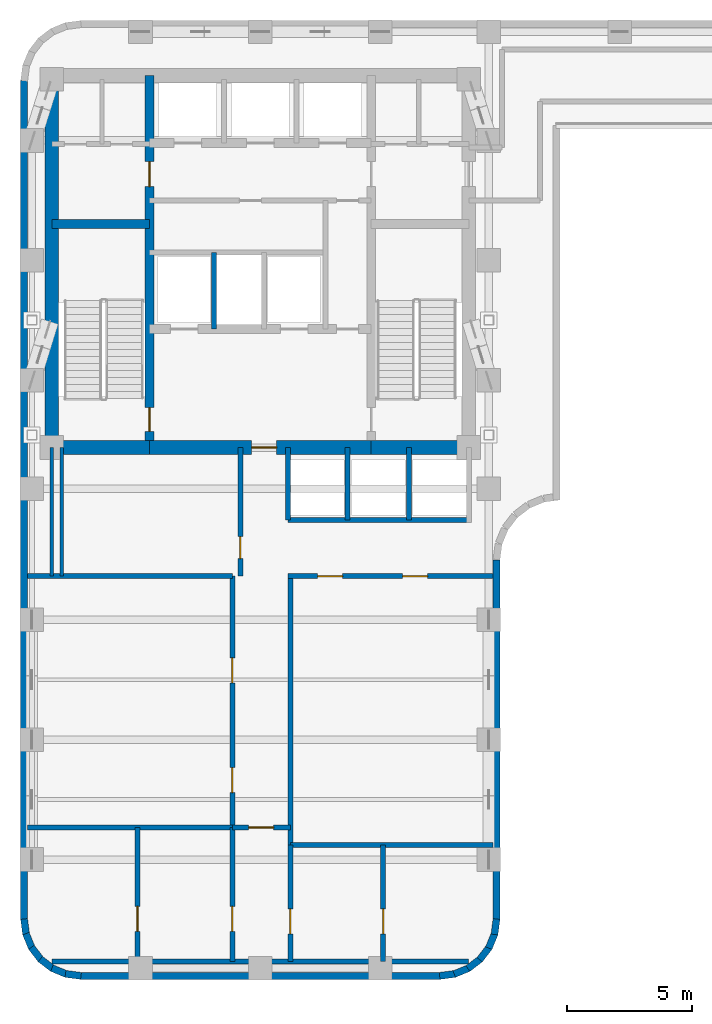
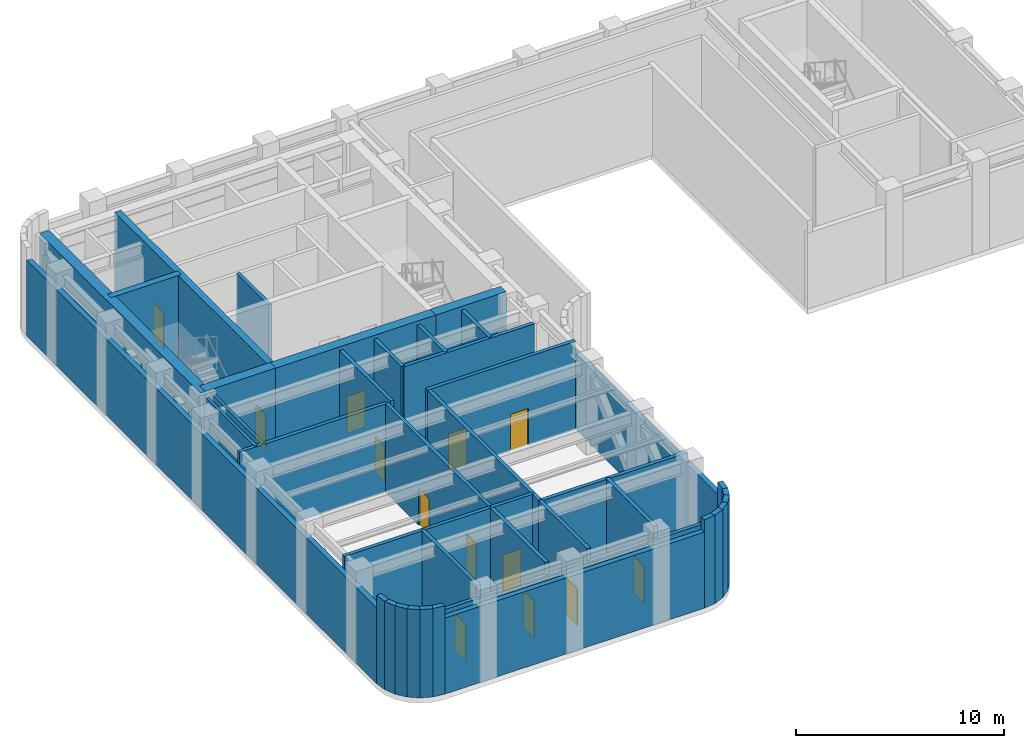
# One storey, part 5 of 9: 41 walls, 13 doors, 13 openings.
"""IFC4 building model written with IfcOpenShell, lengths in metres."""

from ifc_helpers import new_model, si_unit, direction, frame, frame_2d, origin, place, context, subcontext, project, spatial, rectangle, extrude, material, layer, layer_set, type_object, element, fill, save


model = new_model("IFC4")

# Units and contexts
model_context = context("Model", 3, precision=1e-05, world=origin(), true_north=direction((0.0, 1.0)))
body_context = subcontext(model_context, "Body", "Model", "MODEL_VIEW")
ifc_project = project(units=[si_unit("LENGTHUNIT", "METRE"), si_unit("AREAUNIT", "SQUARE_METRE"), si_unit("VOLUMEUNIT", "CUBIC_METRE"), si_unit("PLANEANGLEUNIT", "RADIAN"), si_unit("MASSUNIT", "GRAM", prefix="KILO")], contexts=[model_context])

# Site, building, storey
site_placement = place(None, origin())
site = spatial("IfcSite", under=ifc_project, at=site_placement, CompositionType="ELEMENT")
building_placement = place(site_placement, origin())
building = spatial("IfcBuilding", under=site, at=building_placement, Name="Orvandelia Arch Residences", CompositionType="ELEMENT")
storey_placement = place(building_placement, frame((0.0, 0.0, 198.39990234375)))
storey = spatial("IfcBuildingStorey", under=building, at=storey_placement, Name="L52", CompositionType="ELEMENT", Elevation=198.39990234375)

# Wall, openings, doors
ifc_material_1 = material(Name="Concrete C50/60", Category="concrete")
ifc_layer_1 = layer(ifc_material_1, 0.35009765625, Name="Concrete C50/60", Category="concrete")
ifc_layer_set_1 = layer_set([ifc_layer_1], Name="Concrete C50/60")
wall_type_1 = type_object("IfcWallType", Name="WL-CORE-350", PredefinedType="SHEAR", material=ifc_layer_set_1)
wall_1_placement = place(storey_placement, frame((9.9599609375, 30.89990234375, 0.0), z_axis=(0.0, 0.0, 1.0), x_axis=(0.0, 1.0, 0.0)))
wall_1 = element("IfcWall", 1, at=wall_1_placement, inside=storey, type_object=wall_type_1, Name="Core Shear Wall L52-WEB1", PredefinedType="SHEAR", context=body_context, shape_type="SweptSolid", body=[
    extrude(rectangle(XDim=14.900146484375, YDim=0.35009765625, at=frame_2d((7.4501953125, 0.0))), origin(), (0.0, 0.0, 1.0), 5.400146484375),
])
opening_1_placement = place(wall_1_placement, frame((0.64990234375, 0.0, 0.0)))
opening_1 = element("IfcOpeningElement", 2, at=opening_1_placement, cuts=wall_1, Name="Opening D7", PredefinedType="OPENING", context=body_context, shape_type="SweptSolid", body=[
    extrude(rectangle(XDim=0.949951171875, YDim=2.10009765625, at=frame_2d((0.47509765625, 1.050048828125))), frame((0.0, 0.18505859375, 0.0), z_axis=(0.0, -1.0, 0.0), x_axis=(1.0, 0.0, 0.0)), (0.0, 0.0, 1.0), 0.3701171875),
])
opening_2_placement = place(wall_1_placement, frame((10.449951171875, 0.0, 0.0)))
opening_2 = element("IfcOpeningElement", 3, at=opening_2_placement, cuts=wall_1, Name="Opening D6", PredefinedType="OPENING", context=body_context, shape_type="SweptSolid", body=[
    extrude(rectangle(XDim=1.0, YDim=2.14990234375, at=frame_2d((0.5, 1.074951171875))), frame((0.0, 0.18505859375, 0.0), z_axis=(0.0, -1.0, 0.0), x_axis=(1.0, 0.0, 0.0)), (0.0, 0.0, 1.0), 0.3701171875),
])
ifc_material_2 = material(Name="Smokeproof Painted Steel Fire Door", Category="steel")
door_type_1 = type_object("IfcDoorType", Name="DR-FD60-1000", OperationType="NOTDEFINED", PredefinedType="DOOR", material=ifc_material_2)
door_1_placement = place(opening_2_placement, origin())
door_1 = element("IfcDoor", 4, at=door_1_placement, inside=storey, type_object=door_type_1, Name="High-Rise Lift Hall West Vestibule Door L52", OperationType="SINGLE_SWING_LEFT", OverallHeight=2.14990234375, OverallWidth=1.0, PredefinedType="DOOR", context=body_context, shape_type="SweptSolid", body=[
    extrude(rectangle(XDim=1.0, YDim=2.14990234375, at=frame_2d((0.5, 1.074951171875))), frame((0.0, 0.02490234375, 0.0), z_axis=(0.0, -1.0, 0.0), x_axis=(1.0, 0.0, 0.0)), (0.0, 0.0, 1.0), 0.050048828125),
])
fill(opening_2, door_1)
ifc_material_3 = material(Name="Pressurised Stairwell Fire Door")
door_type_2 = type_object("IfcDoorType", Name="DR-STAIR-950", OperationType="NOTDEFINED", PredefinedType="DOOR", material=ifc_material_3)
door_2_placement = place(opening_1_placement, origin())
door_2 = element("IfcDoor", 5, at=door_2_placement, inside=storey, type_object=door_type_2, Name="Stairwell ST-1 Fire Door L52", OperationType="SINGLE_SWING_LEFT", OverallHeight=2.10009765625, OverallWidth=0.949951171875, PredefinedType="DOOR", context=body_context, shape_type="SweptSolid", body=[
    extrude(rectangle(XDim=0.949951171875, YDim=2.10009765625, at=frame_2d((0.47509765625, 1.050048828125))), frame((0.0, 0.02490234375, 0.0), z_axis=(0.0, -1.0, 0.0), x_axis=(1.0, 0.0, 0.0)), (0.0, 0.0, 1.0), 0.050048828125),
])
fill(opening_1, door_2)

# Walls
wall_2_placement = place(storey_placement, frame((6.050048828125, 39.85009765625, 0.0), z_axis=(0.0, 0.0, 1.0), x_axis=(1.0, 0.0, 0.0)))
element("IfcWall", 6, at=wall_2_placement, inside=storey, type_object=wall_type_1, Name="Core Shear Wall L52-HZ1", PredefinedType="SHEAR", context=body_context, shape_type="SweptSolid", body=[
    extrude(rectangle(XDim=3.909912109375, YDim=0.35009765625, at=frame_2d((1.955078125, 0.0))), origin(), (0.0, 0.0, 1.0), 5.400146484375),
])
ifc_material_4 = material(Name="Concrete C60/75", Category="concrete")
ifc_layer_2 = layer(ifc_material_4, 0.550048828125, Name="Concrete C60/75", Category="concrete")
ifc_layer_set_2 = layer_set([ifc_layer_2], Name="Concrete C60/75")
wall_type_2 = type_object("IfcWallType", Name="WL-CORE-550", PredefinedType="SHEAR", material=ifc_layer_set_2)
wall_3_placement = place(storey_placement, frame((6.050048828125, 30.625, 0.0), z_axis=(0.0, 0.0, 1.0), x_axis=(0.0, 1.0, 0.0)))
element("IfcWall", 7, at=wall_3_placement, inside=storey, type_object=wall_type_2, Name="Core Shear Wall L52-W", PredefinedType="SHEAR", context=body_context, shape_type="SweptSolid", body=[
    extrude(rectangle(XDim=15.449951171875, YDim=0.550048828125, at=frame_2d((7.72509765625, 0.0))), origin(), (0.0, 0.0, 1.0), 5.400146484375),
])
wall_4_placement = place(storey_placement, frame((6.050048828125, 30.89990234375, 0.0), z_axis=(0.0, 0.0, 1.0), x_axis=(1.0, 0.0, 0.0)))
element("IfcWall", 8, at=wall_4_placement, inside=storey, type_object=wall_type_2, Name="Core Shear Wall L52-SW", PredefinedType="SHEAR", context=body_context, shape_type="SweptSolid", body=[
    extrude(rectangle(XDim=3.909912109375, YDim=0.550048828125, at=frame_2d((1.955078125, 0.0))), origin(), (0.0, 0.0, 1.0), 5.400146484375),
])

# Wall, opening, door
wall_5_placement = place(storey_placement, frame((9.9599609375, 30.89990234375, 0.0), z_axis=(0.0, 0.0, 1.0), x_axis=(1.0, 0.0, 0.0)))
wall_5 = element("IfcWall", 9, at=wall_5_placement, inside=storey, type_object=wall_type_2, Name="Core Shear Wall L52-SM", PredefinedType="SHEAR", context=body_context, shape_type="SweptSolid", body=[
    extrude(rectangle(XDim=8.880126953125, YDim=0.550048828125, at=frame_2d((4.43994140625, 0.0))), origin(), (0.0, 0.0, 1.0), 5.400146484375),
])
opening_3_placement = place(wall_5_placement, frame((4.090087890625, 0.0, 0.0)))
opening_3 = element("IfcOpeningElement", 10, at=opening_3_placement, cuts=wall_5, Name="Opening D6", PredefinedType="OPENING", context=body_context, shape_type="SweptSolid", body=[
    extrude(rectangle(XDim=1.0, YDim=2.14990234375, at=frame_2d((0.5, 1.074951171875))), frame((0.0, 0.28515625, 0.0), z_axis=(0.0, -1.0, 0.0), x_axis=(1.0, 0.0, 0.0)), (0.0, 0.0, 1.0), 0.570068359375),
])
door_3_placement = place(opening_3_placement, origin())
door_3 = element("IfcDoor", 11, at=door_3_placement, inside=storey, type_object=door_type_1, Name="Firefighting Lobby Smokeproof Door L52", OperationType="SINGLE_SWING_LEFT", OverallHeight=2.14990234375, OverallWidth=1.0, PredefinedType="DOOR", context=body_context, shape_type="SweptSolid", body=[
    extrude(rectangle(XDim=1.0, YDim=2.14990234375, at=frame_2d((0.5, 1.074951171875))), frame((0.0, 0.02490234375, 0.0), z_axis=(0.0, -1.0, 0.0), x_axis=(1.0, 0.0, 0.0)), (0.0, 0.0, 1.0), 0.050048828125),
])
fill(opening_3, door_3)

# Wall
wall_6_placement = place(storey_placement, frame((18.840087890625, 30.89990234375, 0.0), z_axis=(0.0, 0.0, 1.0), x_axis=(1.0, 0.0, 0.0)))
element("IfcWall", 12, at=wall_6_placement, inside=storey, type_object=wall_type_2, Name="Core Shear Wall L52-SE", PredefinedType="SHEAR", context=body_context, shape_type="SweptSolid", body=[
    extrude(rectangle(XDim=3.909912109375, YDim=0.550048828125, at=frame_2d((1.955078125, 0.0))), origin(), (0.0, 0.0, 1.0), 5.400146484375),
])

# Wall, opening, door
ifc_material_5 = material(Name="Fire-Rated Corridor Partition")
ifc_layer_3 = layer(ifc_material_5, 0.199951171875, Name="Fire-Rated Corridor Partition")
ifc_layer_set_3 = layer_set([ifc_layer_3], Name="Fire-Rated Corridor Partition")
wall_type_3 = type_object("IfcWallType", Name="WL-CORR-200", PredefinedType="PARTITIONING", material=ifc_layer_set_3)
wall_7_placement = place(storey_placement, frame((13.280029296875, 15.679931640625, 0.0), z_axis=(0.0, 0.0, 1.0), x_axis=(1.0, 0.0, 0.0)))
wall_7 = element("IfcWall", 13, at=wall_7_placement, inside=storey, type_object=wall_type_3, Name="Interior Partition Wall WL-L52-RLOB-S", PredefinedType="PARTITIONING", context=body_context, shape_type="SweptSolid", body=[
    extrude(rectangle(XDim=2.320068359375, YDim=0.199951171875, at=frame_2d((1.16015625, 0.0))), origin(), (0.0, 0.0, 1.0), 5.18017578125),
])
opening_4_placement = place(wall_7_placement, frame((0.64990234375, 0.0, 0.0)))
opening_4 = element("IfcOpeningElement", 14, at=opening_4_placement, cuts=wall_7, Name="Opening D6", PredefinedType="OPENING", context=body_context, shape_type="SweptSolid", body=[
    extrude(rectangle(XDim=1.0, YDim=2.14990234375, at=frame_2d((0.5, 1.074951171875))), frame((0.0, 0.10986328125, 0.0), z_axis=(0.0, -1.0, 0.0), x_axis=(1.0, 0.0, 0.0)), (0.0, 0.0, 1.0), 0.219970703125),
])
door_4_placement = place(opening_4_placement, origin())
door_4 = element("IfcDoor", 15, at=door_4_placement, inside=storey, type_object=door_type_1, Name="DR-L52-RLOB-PC", OperationType="SINGLE_SWING_LEFT", OverallHeight=2.14990234375, OverallWidth=1.0, PredefinedType="DOOR", context=body_context, shape_type="SweptSolid", body=[
    extrude(rectangle(XDim=1.0, YDim=2.14990234375, at=frame_2d((0.5, 1.074951171875))), frame((0.0, 0.02490234375, 0.0), z_axis=(0.0, -1.0, 0.0), x_axis=(1.0, 0.0, 0.0)), (0.0, 0.0, 1.0), 0.050048828125),
])
fill(opening_4, door_4)

# Wall, openings, doors
wall_8_placement = place(storey_placement, frame((15.5, 25.75, 0.0), z_axis=(0.0, 0.0, 1.0), x_axis=(1.0, 0.0, 0.0)))
wall_8 = element("IfcWall", 16, at=wall_8_placement, inside=storey, type_object=wall_type_3, Name="Interior Partition Wall WL-L52-REF-N", PredefinedType="PARTITIONING", context=body_context, shape_type="SweptSolid", body=[
    extrude(rectangle(XDim=8.219970703125, YDim=0.199951171875, at=frame_2d((4.10986328125, 0.0))), origin(), (0.0, 0.0, 1.0), 5.18017578125),
])
opening_5_placement = place(wall_8_placement, frame((1.199951171875, 0.0, 0.0)))
opening_5 = element("IfcOpeningElement", 17, at=opening_5_placement, cuts=wall_8, Name="Opening D6", PredefinedType="OPENING", context=body_context, shape_type="SweptSolid", body=[
    extrude(rectangle(XDim=1.0, YDim=2.14990234375, at=frame_2d((0.5, 1.074951171875))), frame((0.0, 0.10986328125, 0.0), z_axis=(0.0, -1.0, 0.0), x_axis=(1.0, 0.0, 0.0)), (0.0, 0.0, 1.0), 0.219970703125),
])
opening_6_placement = place(wall_8_placement, frame((4.60009765625, 0.0, 0.0)))
opening_6 = element("IfcOpeningElement", 18, at=opening_6_placement, cuts=wall_8, Name="Opening D6", PredefinedType="OPENING", context=body_context, shape_type="SweptSolid", body=[
    extrude(rectangle(XDim=1.0, YDim=2.14990234375, at=frame_2d((0.5, 1.074951171875))), frame((0.0, 0.10986328125, 0.0), z_axis=(0.0, -1.0, 0.0), x_axis=(1.0, 0.0, 0.0)), (0.0, 0.0, 1.0), 0.219970703125),
])
door_5_placement = place(opening_5_placement, origin())
door_5 = element("IfcDoor", 19, at=door_5_placement, inside=storey, type_object=door_type_1, Name="Refuge Safety Zone Fire Door 1 L52", OperationType="SINGLE_SWING_LEFT", OverallHeight=2.14990234375, OverallWidth=1.0, PredefinedType="DOOR", context=body_context, shape_type="SweptSolid", body=[
    extrude(rectangle(XDim=1.0, YDim=2.14990234375, at=frame_2d((0.5, 1.074951171875))), frame((0.0, 0.02490234375, 0.0), z_axis=(0.0, -1.0, 0.0), x_axis=(1.0, 0.0, 0.0)), (0.0, 0.0, 1.0), 0.050048828125),
])
fill(opening_5, door_5)
door_6_placement = place(opening_6_placement, origin())
door_6 = element("IfcDoor", 20, at=door_6_placement, inside=storey, type_object=door_type_1, Name="Refuge Safety Zone Fire Door 2 L52", OperationType="SINGLE_SWING_RIGHT", OverallHeight=2.14990234375, OverallWidth=1.0, PredefinedType="DOOR", context=body_context, shape_type="SweptSolid", body=[
    extrude(rectangle(XDim=1.0, YDim=2.14990234375, at=frame_2d((0.5, 1.074951171875))), frame((0.0, 0.02490234375, 0.0), z_axis=(0.0, -1.0, 0.0), x_axis=(1.0, 0.0, 0.0)), (0.0, 0.0, 1.0), 0.050048828125),
])
fill(opening_6, door_6)

# Walls
wall_9_placement = place(storey_placement, frame((15.60009765625, 14.97998046875, 0.0), z_axis=(0.0, 0.0, 1.0), x_axis=(1.0, 0.0, 0.0)))
element("IfcWall", 21, at=wall_9_placement, inside=storey, type_object=wall_type_3, Name="Interior Partition Wall WL-L52-REF-S", PredefinedType="PARTITIONING", context=body_context, shape_type="SweptSolid", body=[
    extrude(rectangle(XDim=8.119873046875, YDim=0.199951171875, at=frame_2d((4.06005859375, 0.0))), origin(), (0.0, 0.0, 1.0), 5.18017578125),
])
for number, where, z_axis, x_axis, name in (
    (22, (5.080078125, 25.75, 0.0), (0.0, 0.0, 1.0), (1.0, 0.0, 0.0), "Interior Partition Wall WL-L52-PC-NW"),
    (23, (5.080078125, 15.679931640625, 0.0), (0.0, 0.0, 1.0), (1.0, 0.0, 0.0), "Interior Partition Wall WL-L52-WREF-S"),
):
    element("IfcWall", number, at=place(storey_placement, frame(where, z_axis=z_axis, x_axis=x_axis)), inside=storey, type_object=wall_type_3, Name=name, PredefinedType="PARTITIONING", context=body_context, shape_type="SweptSolid", body=[
        extrude(rectangle(XDim=8.199951171875, YDim=0.199951171875, at=frame_2d((4.10009765625, 0.0))), origin(), (0.0, 0.0, 1.0), 5.18017578125),
    ])

# Wall, openings, doors
wall_10_placement = place(storey_placement, frame((13.280029296875, 15.679931640625, 0.0), z_axis=(0.0, 0.0, 1.0), x_axis=(0.0, 1.0, 0.0)))
wall_10 = element("IfcWall", 24, at=wall_10_placement, inside=storey, type_object=wall_type_3, Name="Interior Partition Wall WL-L52-RLOB-W", PredefinedType="PARTITIONING", context=body_context, shape_type="SweptSolid", body=[
    extrude(rectangle(XDim=10.070068359375, YDim=0.199951171875, at=frame_2d((5.03515625, 0.0))), origin(), (0.0, 0.0, 1.0), 5.18017578125),
])
opening_7_placement = place(wall_10_placement, frame((1.39990234375, 0.0, 0.0)))
opening_7 = element("IfcOpeningElement", 25, at=opening_7_placement, cuts=wall_10, Name="Opening D6", PredefinedType="OPENING", context=body_context, shape_type="SweptSolid", body=[
    extrude(rectangle(XDim=1.0, YDim=2.14990234375, at=frame_2d((0.5, 1.074951171875))), frame((0.0, 0.10986328125, 0.0), z_axis=(0.0, -1.0, 0.0), x_axis=(1.0, 0.0, 0.0)), (0.0, 0.0, 1.0), 0.219970703125),
])
opening_8_placement = place(wall_10_placement, frame((5.800048828125, 0.0, 0.0)))
opening_8 = element("IfcOpeningElement", 26, at=opening_8_placement, cuts=wall_10, Name="Opening D6", PredefinedType="OPENING", context=body_context, shape_type="SweptSolid", body=[
    extrude(rectangle(XDim=1.0, YDim=2.14990234375, at=frame_2d((0.5, 1.074951171875))), frame((0.0, 0.10986328125, 0.0), z_axis=(0.0, -1.0, 0.0), x_axis=(1.0, 0.0, 0.0)), (0.0, 0.0, 1.0), 0.219970703125),
])
door_7_placement = place(opening_7_placement, origin())
door_7 = element("IfcDoor", 27, at=door_7_placement, inside=storey, type_object=door_type_1, Name="West Refuge Safety Zone Door 1 L52", OperationType="SINGLE_SWING_LEFT", OverallHeight=2.14990234375, OverallWidth=1.0, PredefinedType="DOOR", context=body_context, shape_type="SweptSolid", body=[
    extrude(rectangle(XDim=1.0, YDim=2.14990234375, at=frame_2d((0.5, 1.074951171875))), frame((0.0, 0.02490234375, 0.0), z_axis=(0.0, -1.0, 0.0), x_axis=(1.0, 0.0, 0.0)), (0.0, 0.0, 1.0), 0.050048828125),
])
fill(opening_7, door_7)
door_8_placement = place(opening_8_placement, origin())
door_8 = element("IfcDoor", 28, at=door_8_placement, inside=storey, type_object=door_type_1, Name="West Refuge Safety Zone Door 2 L52", OperationType="SINGLE_SWING_RIGHT", OverallHeight=2.14990234375, OverallWidth=1.0, PredefinedType="DOOR", context=body_context, shape_type="SweptSolid", body=[
    extrude(rectangle(XDim=1.0, YDim=2.14990234375, at=frame_2d((0.5, 1.074951171875))), frame((0.0, 0.02490234375, 0.0), z_axis=(0.0, -1.0, 0.0), x_axis=(1.0, 0.0, 0.0)), (0.0, 0.0, 1.0), 0.050048828125),
])
fill(opening_8, door_8)

# Walls
wall_11_placement = place(storey_placement, frame((15.60009765625, 14.97998046875, 0.0), z_axis=(0.0, 0.0, 1.0), x_axis=(0.0, 1.0, 0.0)))
element("IfcWall", 29, at=wall_11_placement, inside=storey, type_object=wall_type_3, Name="Interior Partition Wall WL-L52-RLOB-E", PredefinedType="PARTITIONING", context=body_context, shape_type="SweptSolid", body=[
    extrude(rectangle(XDim=10.77001953125, YDim=0.199951171875, at=frame_2d((5.385009765625, 0.0))), origin(), (0.0, 0.0, 1.0), 5.18017578125),
])
wall_12_placement = place(storey_placement, frame((6.06005859375, 10.320068359375, 0.0), z_axis=(0.0, 0.0, 1.0), x_axis=(1.0, 0.0, 0.0)))
element("IfcWall", 30, at=wall_12_placement, inside=storey, type_object=wall_type_3, Name="Interior Partition Wall WL-L52-PLT-S0", PredefinedType="PARTITIONING", context=body_context, shape_type="SweptSolid", body=[
    extrude(rectangle(XDim=16.679931640625, YDim=0.199951171875, at=frame_2d((8.33984375, 0.0))), origin(), (0.0, 0.0, 1.0), 4.460205078125),
])

# Wall, opening, door
wall_13_placement = place(storey_placement, frame((13.280029296875, 10.320068359375, 0.0), z_axis=(0.0, 0.0, 1.0), x_axis=(0.0, 1.0, 0.0)))
wall_13 = element("IfcWall", 31, at=wall_13_placement, inside=storey, type_object=wall_type_3, Name="Interior Partition Wall WL-L52-PC-W", PredefinedType="PARTITIONING", context=body_context, shape_type="SweptSolid", body=[
    extrude(rectangle(XDim=5.35986328125, YDim=0.199951171875, at=frame_2d((2.679931640625, 0.0))), origin(), (0.0, 0.0, 1.0), 5.18017578125),
])
opening_9_placement = place(wall_13_placement, frame((1.199951171875, 0.0, 0.0)))
opening_9 = element("IfcOpeningElement", 32, at=opening_9_placement, cuts=wall_13, Name="Opening D6", PredefinedType="OPENING", context=body_context, shape_type="SweptSolid", body=[
    extrude(rectangle(XDim=1.0, YDim=2.14990234375, at=frame_2d((0.5, 1.074951171875))), frame((0.0, 0.10986328125, 0.0), z_axis=(0.0, -1.0, 0.0), x_axis=(1.0, 0.0, 0.0)), (0.0, 0.0, 1.0), 0.219970703125),
])
door_9_placement = place(opening_9_placement, origin())
door_9 = element("IfcDoor", 33, at=door_9_placement, inside=storey, type_object=door_type_1, Name="DR-L52-P2", OperationType="SINGLE_SWING_RIGHT", OverallHeight=2.14990234375, OverallWidth=1.0, PredefinedType="DOOR", context=body_context, shape_type="SweptSolid", body=[
    extrude(rectangle(XDim=1.0, YDim=2.14990234375, at=frame_2d((0.5, 1.074951171875))), frame((0.0, 0.02490234375, 0.0), z_axis=(0.0, -1.0, 0.0), x_axis=(1.0, 0.0, 0.0)), (0.0, 0.0, 1.0), 0.050048828125),
])
fill(opening_9, door_9)

wall_14_placement = place(storey_placement, frame((15.60009765625, 10.320068359375, 0.0), z_axis=(0.0, 0.0, 1.0), x_axis=(0.0, 1.0, 0.0)))
wall_14 = element("IfcWall", 34, at=wall_14_placement, inside=storey, type_object=wall_type_3, Name="Interior Partition Wall WL-L52-PC-E", PredefinedType="PARTITIONING", context=body_context, shape_type="SweptSolid", body=[
    extrude(rectangle(XDim=4.659912109375, YDim=0.199951171875, at=frame_2d((2.330078125, 0.0))), origin(), (0.0, 0.0, 1.0), 5.18017578125),
])
opening_10_placement = place(wall_14_placement, frame((1.10009765625, 0.0, 0.0)))
opening_10 = element("IfcOpeningElement", 35, at=opening_10_placement, cuts=wall_14, Name="Opening D6", PredefinedType="OPENING", context=body_context, shape_type="SweptSolid", body=[
    extrude(rectangle(XDim=1.0, YDim=2.14990234375, at=frame_2d((0.5, 1.074951171875))), frame((0.0, 0.10986328125, 0.0), z_axis=(0.0, -1.0, 0.0), x_axis=(1.0, 0.0, 0.0)), (0.0, 0.0, 1.0), 0.219970703125),
])
door_10_placement = place(opening_10_placement, origin())
door_10 = element("IfcDoor", 36, at=door_10_placement, inside=storey, type_object=door_type_1, Name="DR-L52-P3", OperationType="SINGLE_SWING_RIGHT", OverallHeight=2.14990234375, OverallWidth=1.0, PredefinedType="DOOR", context=body_context, shape_type="SweptSolid", body=[
    extrude(rectangle(XDim=1.0, YDim=2.14990234375, at=frame_2d((0.5, 1.074951171875))), frame((0.0, 0.02490234375, 0.0), z_axis=(0.0, -1.0, 0.0), x_axis=(1.0, 0.0, 0.0)), (0.0, 0.0, 1.0), 0.050048828125),
])
fill(opening_10, door_10)

wall_15_placement = place(storey_placement, frame((9.47998046875, 10.320068359375, 0.0), z_axis=(0.0, 0.0, 1.0), x_axis=(0.0, 1.0, 0.0)))
wall_15 = element("IfcWall", 37, at=wall_15_placement, inside=storey, type_object=wall_type_3, Name="Interior Partition Wall WL-L52-PM1", PredefinedType="PARTITIONING", context=body_context, shape_type="SweptSolid", body=[
    extrude(rectangle(XDim=5.35986328125, YDim=0.199951171875, at=frame_2d((2.679931640625, 0.0))), origin(), (0.0, 0.0, 1.0), 5.18017578125),
])
opening_11_placement = place(wall_15_placement, frame((1.199951171875, 0.0, 0.0)))
opening_11 = element("IfcOpeningElement", 38, at=opening_11_placement, cuts=wall_15, Name="Opening D6", PredefinedType="OPENING", context=body_context, shape_type="SweptSolid", body=[
    extrude(rectangle(XDim=1.0, YDim=2.14990234375, at=frame_2d((0.5, 1.074951171875))), frame((0.0, 0.10986328125, 0.0), z_axis=(0.0, -1.0, 0.0), x_axis=(1.0, 0.0, 0.0)), (0.0, 0.0, 1.0), 0.219970703125),
])
door_11_placement = place(opening_11_placement, origin())
door_11 = element("IfcDoor", 39, at=door_11_placement, inside=storey, type_object=door_type_1, Name="DR-L52-P1", OperationType="SINGLE_SWING_LEFT", OverallHeight=2.14990234375, OverallWidth=1.0, PredefinedType="DOOR", context=body_context, shape_type="SweptSolid", body=[
    extrude(rectangle(XDim=1.0, YDim=2.14990234375, at=frame_2d((0.5, 1.074951171875))), frame((0.0, 0.02490234375, 0.0), z_axis=(0.0, -1.0, 0.0), x_axis=(1.0, 0.0, 0.0)), (0.0, 0.0, 1.0), 0.050048828125),
])
fill(opening_11, door_11)

wall_16_placement = place(storey_placement, frame((19.320068359375, 10.320068359375, 0.0), z_axis=(0.0, 0.0, 1.0), x_axis=(0.0, 1.0, 0.0)))
wall_16 = element("IfcWall", 40, at=wall_16_placement, inside=storey, type_object=wall_type_3, Name="Interior Partition Wall WL-L52-PM2", PredefinedType="PARTITIONING", context=body_context, shape_type="SweptSolid", body=[
    extrude(rectangle(XDim=4.659912109375, YDim=0.199951171875, at=frame_2d((2.330078125, 0.0))), origin(), (0.0, 0.0, 1.0), 5.18017578125),
])
opening_12_placement = place(wall_16_placement, frame((1.10009765625, 0.0, 0.0)))
opening_12 = element("IfcOpeningElement", 41, at=opening_12_placement, cuts=wall_16, Name="Opening D6", PredefinedType="OPENING", context=body_context, shape_type="SweptSolid", body=[
    extrude(rectangle(XDim=1.0, YDim=2.14990234375, at=frame_2d((0.5, 1.074951171875))), frame((0.0, 0.10986328125, 0.0), z_axis=(0.0, -1.0, 0.0), x_axis=(1.0, 0.0, 0.0)), (0.0, 0.0, 1.0), 0.219970703125),
])
door_12_placement = place(opening_12_placement, origin())
door_12 = element("IfcDoor", 42, at=door_12_placement, inside=storey, type_object=door_type_1, Name="DR-L52-P4", OperationType="SINGLE_SWING_LEFT", OverallHeight=2.14990234375, OverallWidth=1.0, PredefinedType="DOOR", context=body_context, shape_type="SweptSolid", body=[
    extrude(rectangle(XDim=1.0, YDim=2.14990234375, at=frame_2d((0.5, 1.074951171875))), frame((0.0, 0.02490234375, 0.0), z_axis=(0.0, -1.0, 0.0), x_axis=(1.0, 0.0, 0.0)), (0.0, 0.0, 1.0), 0.050048828125),
])
fill(opening_12, door_12)

# Walls
ifc_material_6 = material(Name="Precast concrete C40/50", Category="concrete")
ifc_layer_4 = layer(ifc_material_6, 0.280029296875, Name="Precast concrete C40/50", Category="concrete")
ifc_layer_set_4 = layer_set([ifc_layer_4], Name="Precast concrete C40/50")
wall_type_4 = type_object("IfcWallType", Name="WL-EXT-STONE-280", PredefinedType="STANDARD", material=ifc_layer_set_4)
wall_17_placement = place(storey_placement, frame((23.860107421875, 26.39990234375, 0.0), z_axis=(0.0, 0.0, 1.0), x_axis=(0.0, -1.0, 0.0)))
element("IfcWall", 43, at=wall_17_placement, inside=storey, type_object=wall_type_4, Name="Coral-Limestone Precast Facade Wall L52-030", PredefinedType="STANDARD", context=body_context, shape_type="SweptSolid", body=[
    extrude(rectangle(XDim=14.39990234375, YDim=0.280029296875, at=frame_2d((7.199951171875, 0.0))), origin(), (0.0, 0.0, 1.0), 4.460205078125),
])
for number, where, z_axis, x_axis, name in (
    (44, (23.861083984375, 12.018310546875, 0.0), (0.0, 0.0, 1.0), (-0.130555323746, -0.9914410257, 0.0), "Coral-Limestone Precast Facade Wall L52-031"),
    (45, (23.788818359375, 11.432373046875, 0.0), (0.0, 0.0, 1.0), (-0.382317370307, -0.924031075431, 0.0), "Coral-Limestone Precast Facade Wall L52-032"),
    (46, (23.5673828125, 10.88525390625, 0.0), (0.0, 0.0, 1.0), (-0.608693302629, -0.793405610854, 0.0), "Coral-Limestone Precast Facade Wall L52-033"),
    (47, (23.2119140625, 10.4140625, 0.0), (0.0, 0.0, 1.0), (-0.793405610854, -0.608693302629, 0.0), "Coral-Limestone Precast Facade Wall L52-034"),
    (48, (22.746337890625, 10.05078125, 0.0), (0.0, 0.0, 1.0), (-0.92389335771, -0.382650053678, 0.0), "Coral-Limestone Precast Facade Wall L52-035"),
    (49, (22.202880859375, 9.820556640625, 0.0), (0.0, 0.0, 1.0), (-0.9914410257, -0.130555323746, 0.0), "Coral-Limestone Precast Facade Wall L52-036"),
):
    element("IfcWall", number, at=place(storey_placement, frame(where, z_axis=z_axis, x_axis=x_axis)), inside=storey, type_object=wall_type_4, Name=name, PredefinedType="STANDARD", context=body_context, shape_type="SweptSolid", body=[
        extrude(rectangle(XDim=0.62646484375, YDim=0.280029296875, at=frame_2d((0.313232421875, 0.0))), origin(), (0.0, 0.0, 1.0), 5.18017578125),
    ])
wall_18_placement = place(storey_placement, frame((21.60009765625, 9.739990234375, 0.0), z_axis=(0.0, 0.0, 1.0), x_axis=(-1.0, 0.0, 0.0)))
element("IfcWall", 50, at=wall_18_placement, inside=storey, type_object=wall_type_4, Name="Coral-Limestone Precast Facade Wall L52-037", PredefinedType="STANDARD", context=body_context, shape_type="SweptSolid", body=[
    extrude(rectangle(XDim=14.400146484375, YDim=0.280029296875, at=frame_2d((7.2001953125, 0.0))), origin(), (0.0, 0.0, 1.0), 4.460205078125),
])
wall_19_placement = place(storey_placement, frame((7.21826171875, 9.73876953125, 0.0), z_axis=(0.0, 0.0, 1.0), x_axis=(-0.9914410257, 0.130555323746, 0.0)))
element("IfcWall", 51, at=wall_19_placement, inside=storey, type_object=wall_type_4, Name="Coral-Limestone Precast Facade Wall L52-038", PredefinedType="STANDARD", context=body_context, shape_type="SweptSolid", body=[
    extrude(rectangle(XDim=0.62646484375, YDim=0.280029296875, at=frame_2d((0.313232421875, 0.0))), origin(), (0.0, 0.0, 1.0), 5.18017578125),
])
wall_20_placement = place(storey_placement, frame((6.63232421875, 9.81103515625, 0.0), z_axis=(0.0, 0.0, 1.0), x_axis=(-0.923836271867, 0.382787856107, 0.0)))
element("IfcWall", 52, at=wall_20_placement, inside=storey, type_object=wall_type_4, Name="Coral-Limestone Precast Facade Wall L52-039", PredefinedType="STANDARD", context=body_context, shape_type="SweptSolid", body=[
    extrude(rectangle(XDim=0.626220703125, YDim=0.280029296875, at=frame_2d((0.31298828125, 0.0))), origin(), (0.0, 0.0, 1.0), 5.18017578125),
])
for number, where, z_axis, x_axis, name in (
    (53, (6.085205078125, 10.03271484375, 0.0), (0.0, 0.0, 1.0), (-0.793405610854, 0.608693302629, 0.0), "Coral-Limestone Precast Facade Wall L52-040"),
    (54, (5.614013671875, 10.38818359375, 0.0), (0.0, 0.0, 1.0), (-0.608693302629, 0.793405610854, 0.0), "Coral-Limestone Precast Facade Wall L52-041"),
    (55, (5.250732421875, 10.853515625, 0.0), (0.0, 0.0, 1.0), (-0.382650053678, 0.92389335771, 0.0), "Coral-Limestone Precast Facade Wall L52-042"),
    (56, (5.0205078125, 11.397216796875, 0.0), (0.0, 0.0, 1.0), (-0.130555323746, 0.9914410257, 0.0), "Coral-Limestone Precast Facade Wall L52-043"),
):
    element("IfcWall", number, at=place(storey_placement, frame(where, z_axis=z_axis, x_axis=x_axis)), inside=storey, type_object=wall_type_4, Name=name, PredefinedType="STANDARD", context=body_context, shape_type="SweptSolid", body=[
        extrude(rectangle(XDim=0.62646484375, YDim=0.280029296875, at=frame_2d((0.313232421875, 0.0))), origin(), (0.0, 0.0, 1.0), 5.18017578125),
    ])
wall_21_placement = place(storey_placement, frame((4.93994140625, 12.0, 0.0), z_axis=(0.0, 0.0, 1.0), x_axis=(0.0, 1.0, 0.0)))
element("IfcWall", 57, at=wall_21_placement, inside=storey, type_object=wall_type_4, Name="Coral-Limestone Precast Facade Wall L52-044", PredefinedType="STANDARD", context=body_context, shape_type="SweptSolid", body=[
    extrude(rectangle(XDim=33.60009765625, YDim=0.280029296875, at=frame_2d((16.800048828125, 0.0))), origin(), (0.0, 0.0, 1.0), 4.460205078125),
])
ifc_material_7 = material(Name="Acoustic Gypsum Stud Partition")
ifc_layer_5 = layer(ifc_material_7, 0.14990234375, Name="Acoustic Gypsum Stud Partition")
ifc_layer_set_5 = layer_set([ifc_layer_5], Name="Acoustic Gypsum Stud Partition")
wall_type_5 = type_object("IfcWallType", Name="WL-PART-150", PredefinedType="PARTITIONING", material=ifc_layer_set_5)
for number, where, z_axis, x_axis, name in (
    (58, (6.050048828125, 25.75, 0.0), (0.0, 0.0, 1.0), (0.0, 1.0, 0.0), "Interior Partition Wall WL-L52-B1REUSE-W"),
    (59, (6.449951171875, 25.75, 0.0), (0.0, 0.0, 1.0), (0.0, 1.0, 0.0), "Interior Partition Wall WL-L52-B1P-WIN"),
):
    element("IfcWall", number, at=place(storey_placement, frame(where, z_axis=z_axis, x_axis=x_axis)), inside=storey, type_object=wall_type_5, Name=name, PredefinedType="PARTITIONING", context=body_context, shape_type="SweptSolid", body=[
        extrude(rectangle(XDim=5.14990234375, YDim=0.14990234375, at=frame_2d((2.574951171875, 0.0))), origin(), (0.0, 0.0, 1.0), 5.18017578125),
    ])
ifc_material_8 = material(Name="Fire-Rated Shaft Enclosure Wall")
ifc_layer_6 = layer(ifc_material_8, 0.199951171875, Name="Fire-Rated Shaft Enclosure Wall")
ifc_layer_set_6 = layer_set([ifc_layer_6], Name="Fire-Rated Shaft Enclosure Wall")
wall_type_6 = type_object("IfcWallType", Name="WL-SHAFT-200", PredefinedType="POLYGONAL", material=ifc_layer_set_6)
wall_22_placement = place(storey_placement, frame((12.550048828125, 35.64990234375, 0.0), z_axis=(0.0, 0.0, 1.0), x_axis=(0.0, 1.0, 0.0)))
element("IfcWall", 60, at=wall_22_placement, inside=storey, type_object=wall_type_6, Name="Interior Partition Wall WL-L52-FLM1", PredefinedType="POLYGONAL", context=body_context, shape_type="SweptSolid", body=[
    extrude(rectangle(XDim=3.070068359375, YDim=0.199951171875, at=frame_2d((1.53515625, 0.0))), origin(), (0.0, 0.0, 1.0), 5.18017578125),
])

# Wall, opening, door
wall_23_placement = place(storey_placement, frame((13.60009765625, 25.75, 0.0), z_axis=(0.0, 0.0, 1.0), x_axis=(0.0, 1.0, 0.0)))
wall_23 = element("IfcWall", 61, at=wall_23_placement, inside=storey, type_object=wall_type_6, Name="Interior Partition Wall WL-L52-B1REUSE-E", PredefinedType="POLYGONAL", context=body_context, shape_type="SweptSolid", body=[
    extrude(rectangle(XDim=5.14990234375, YDim=0.199951171875, at=frame_2d((2.574951171875, 0.0))), origin(), (0.0, 0.0, 1.0), 5.18017578125),
])
opening_13_placement = place(wall_23_placement, frame((0.699951171875, 0.0, 0.0)))
opening_13 = element("IfcOpeningElement", 62, at=opening_13_placement, cuts=wall_23, Name="Opening D5", PredefinedType="OPENING", context=body_context, shape_type="SweptSolid", body=[
    extrude(rectangle(XDim=0.8798828125, YDim=2.10009765625, at=frame_2d((0.43994140625, 1.050048828125))), frame((0.0, 0.10986328125, 0.0), z_axis=(0.0, -1.0, 0.0), x_axis=(1.0, 0.0, 0.0)), (0.0, 0.0, 1.0), 0.219970703125),
])
ifc_material_9 = material(Name="Painted Galvanised Steel Service Door", Category="steel")
door_type_3 = type_object("IfcDoorType", Name="DR-SRV-880", OperationType="NOTDEFINED", PredefinedType="DOOR", material=ifc_material_9)
door_13_placement = place(opening_13_placement, origin())
door_13 = element("IfcDoor", 63, at=door_13_placement, inside=storey, type_object=door_type_3, Name="DR-L52-B1REUSE", OperationType="SINGLE_SWING_LEFT", OverallHeight=2.10009765625, OverallWidth=0.8798828125, PredefinedType="DOOR", context=body_context, shape_type="SweptSolid", body=[
    extrude(rectangle(XDim=0.8798828125, YDim=2.10009765625, at=frame_2d((0.43994140625, 1.050048828125))), frame((0.0, 0.02490234375, 0.0), z_axis=(0.0, -1.0, 0.0), x_axis=(1.0, 0.0, 0.0)), (0.0, 0.0, 1.0), 0.050048828125),
])
fill(opening_13, door_13)

# Walls
wall_24_placement = place(storey_placement, frame((15.5, 28.0, 0.0), z_axis=(0.0, 0.0, 1.0), x_axis=(1.0, 0.0, 0.0)))
element("IfcWall", 64, at=wall_24_placement, inside=storey, type_object=wall_type_6, Name="Interior Partition Wall WL-L52-BNKM-S", PredefinedType="POLYGONAL", context=body_context, shape_type="SweptSolid", body=[
    extrude(rectangle(XDim=7.25, YDim=0.199951171875, at=frame_2d((3.625, 0.0))), origin(), (0.0, 0.0, 1.0), 5.18017578125),
])
for number, where, z_axis, x_axis, name in (
    (65, (15.5, 28.0, 0.0), (0.0, 0.0, 1.0), (0.0, 1.0, 0.0), "Interior Partition Wall WL-L52-BNKM-W"),
    (66, (17.89990234375, 28.0, 0.0), (0.0, 0.0, 1.0), (0.0, 1.0, 0.0), "Interior Partition Wall WL-L52-BNKMD-1789"),
    (67, (20.35009765625, 28.0, 0.0), (0.0, 0.0, 1.0), (0.0, 1.0, 0.0), "Interior Partition Wall WL-L52-BNKMD-2035"),
):
    element("IfcWall", number, at=place(storey_placement, frame(where, z_axis=z_axis, x_axis=x_axis)), inside=storey, type_object=wall_type_6, Name=name, PredefinedType="POLYGONAL", context=body_context, shape_type="SweptSolid", body=[
        extrude(rectangle(XDim=2.89990234375, YDim=0.199951171875, at=frame_2d((1.449951171875, 0.0))), origin(), (0.0, 0.0, 1.0), 5.18017578125),
    ])

save(model, "model.ifc")
